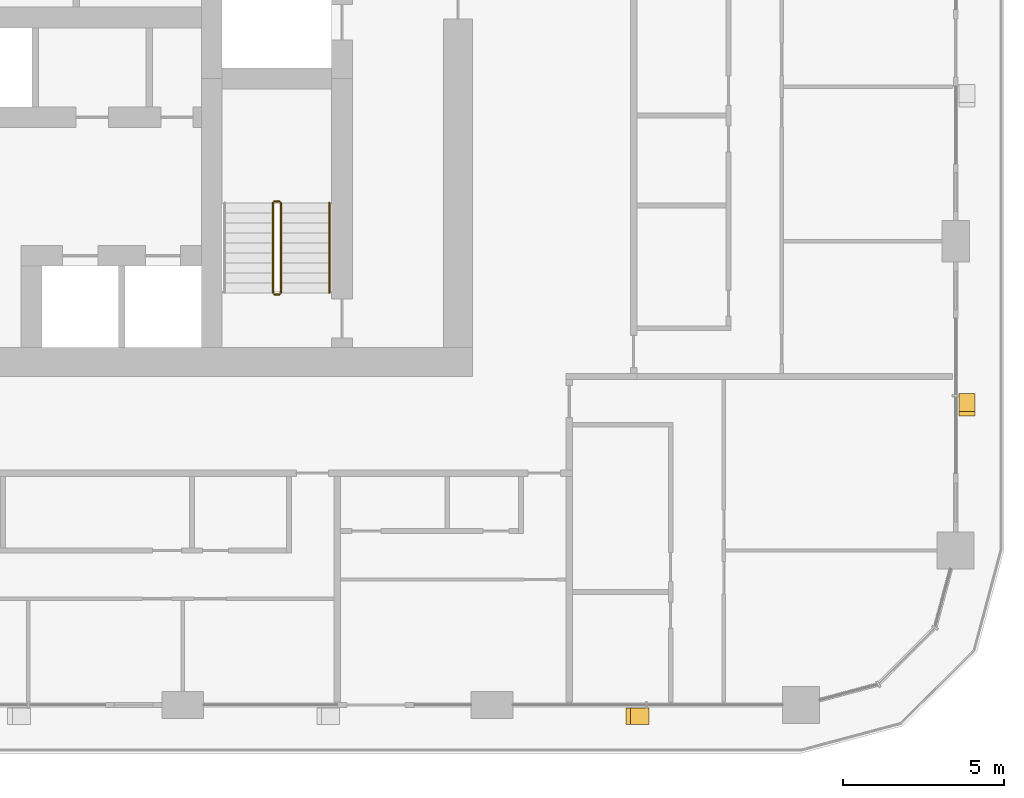
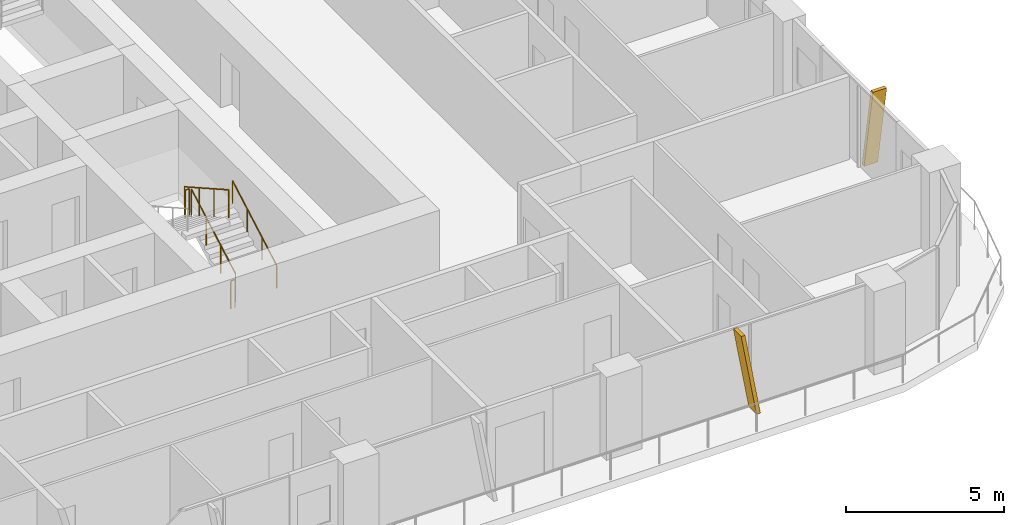
# One storey, part 18 of 21: 5 railings, 2 shading devices.
"""IFC4 building model written with IfcOpenShell, lengths in metres."""

from ifc_helpers import new_model, si_unit, direction, frame, origin, origin_2d, place, context, subcontext, project, spatial, polyline, circle, outline, extrude, material, type_object, element, save


model = new_model("IFC4")

# Units and contexts
model_context = context("Model", 3, precision=1e-05, world=origin(), true_north=direction((0.0, 1.0)))
body_context = subcontext(model_context, "Body", "Model", "MODEL_VIEW")
ifc_project = project(units=[si_unit("LENGTHUNIT", "METRE"), si_unit("AREAUNIT", "SQUARE_METRE"), si_unit("VOLUMEUNIT", "CUBIC_METRE"), si_unit("PLANEANGLEUNIT", "RADIAN"), si_unit("MASSUNIT", "GRAM", prefix="KILO")], contexts=[model_context])

# Site, building, storey
site_placement = place(None, origin())
site = spatial("IfcSite", under=ifc_project, at=site_placement, CompositionType="ELEMENT")
building_placement = place(site_placement, origin())
building = spatial("IfcBuilding", under=site, at=building_placement, Name="Madar Terraces", CompositionType="ELEMENT")
storey_placement = place(building_placement, frame((0.0, 0.0, 92.699951171875)))
storey = spatial("IfcBuildingStorey", under=building, at=storey_placement, Name="L23", CompositionType="ELEMENT", Elevation=92.699951171875)

# Shading devices
ifc_material_1 = material(Name="Aluminium, black anodised", Category="aluminium")
shading_device_type = type_object("IfcShadingDeviceType", Name="Facade fin blade 140 x 500", PredefinedType="USERDEFINED", material=ifc_material_1)
shading_device_1_placement = place(storey_placement, frame((52.72998046875, 4.449951171875, 0.0), z_axis=(0.0, 0.0, 1.0), x_axis=(1.0, 0.0, 0.0)))
element("IfcShadingDevice", 1, at=shading_device_1_placement, inside=storey, type_object=shading_device_type, Name="FIN L23 S5", ObjectType="FIN", PredefinedType="USERDEFINED", context=body_context, shape_type="SweptSolid", body=[
    extrude(outline(polyline([(0.0, 0.0), (0.14013671875, 0.0), (-0.42431640625, 3.199951171875), (-0.564208984375, 3.199951171875), (0.0, 0.0)])), frame((0.0, 0.25, 0.0), z_axis=(0.0, -1.0, 0.0), x_axis=(1.0, 0.0, 0.0)), (0.0, 0.0, 1.0), 0.5),
])
shading_device_2_placement = place(storey_placement, frame((62.75, 14.330078125, 0.0), z_axis=(0.0, 0.0, 1.0), x_axis=(0.0, 1.0, 0.0)))
element("IfcShadingDevice", 2, at=shading_device_2_placement, inside=storey, type_object=shading_device_type, Name="FIN L23 E1", ObjectType="FIN", PredefinedType="USERDEFINED", context=body_context, shape_type="SweptSolid", body=[
    extrude(outline(polyline([(0.0, 0.0), (0.139892578125, 0.0), (-0.42431640625, 3.199951171875), (-0.564208984375, 3.199951171875), (0.0, 0.0)])), frame((0.0, 0.25, 0.0), z_axis=(0.0, -1.0, 0.0), x_axis=(1.0, 0.0, 0.0)), (0.0, 0.0, 1.0), 0.5),
])

# Railings
ifc_material_2 = material(Name="Stainless steel railing", Category="steel")
railing_type_1 = type_object("IfcRailingType", Name="Stair guard 1100", PredefinedType="GUARDRAIL", material=ifc_material_2)
railing_1_placement = place(storey_placement, frame((41.449951171875, 17.60009765625, 0.175048828125)))
element("IfcRailing", 3, at=railing_1_placement, inside=storey, type_object=railing_type_1, Name="L23 ST3 stair guard 1", PredefinedType="GUARDRAIL", context=body_context, shape_type="SweptSolid", body=[
    extrude(circle(Radius=0.02392578125, at=origin_2d()), frame((0.0, 0.0, 1.076171875), z_axis=(0.0, 0.870815363784, 0.491610213684), x_axis=(-1.0, 0.0, 0.0)), (0.0, 0.0, 1.0), 3.20361328125),
    extrude(circle(Radius=0.02099609375, at=origin_2d()), origin(), (0.0, 0.0, 1.0), 1.052001953125),
    extrude(circle(Radius=0.02099609375, at=origin_2d()), frame((0.0, 0.929931640625, 0.52490234375)), (0.0, 0.0, 1.0), 1.052001953125),
    extrude(circle(Radius=0.02099609375, at=origin_2d()), frame((0.0, 1.85986328125, 1.050048828125)), (0.0, 0.0, 1.0), 1.052001953125),
    extrude(circle(Radius=0.02099609375, at=origin_2d()), frame((0.0, 2.789794921875, 1.574951171875)), (0.0, 0.0, 1.0), 1.052001953125),
])
railing_2_placement = place(storey_placement, frame((41.39990234375, 20.43994140625, 1.75)))
element("IfcRailing", 4, at=railing_2_placement, inside=storey, type_object=railing_type_1, Name="L23 ST3 stair guard 2", PredefinedType="GUARDRAIL", context=body_context, shape_type="SweptSolid", body=[
    extrude(circle(Radius=0.02392578125, at=origin_2d()), frame((0.0, 0.0, 1.076171875), z_axis=(-1.0, 0.0, 0.0), x_axis=(0.0, -1.0, 0.0)), (0.0, 0.0, 1.0), 0.14990234375),
    extrude(circle(Radius=0.02099609375, at=origin_2d()), origin(), (0.0, 0.0, 1.0), 1.052001953125),
    extrude(circle(Radius=0.02099609375, at=origin_2d()), frame((-0.14990234375, 0.0, 0.0)), (0.0, 0.0, 1.0), 1.052001953125),
])
railing_3_placement = place(storey_placement, frame((41.199951171875, 20.389892578125, 1.925048828125)))
element("IfcRailing", 5, at=railing_3_placement, inside=storey, type_object=railing_type_1, Name="L23 ST3 stair guard 3", PredefinedType="GUARDRAIL", context=body_context, shape_type="SweptSolid", body=[
    extrude(circle(Radius=0.02392578125, at=origin_2d()), frame((0.0, 0.0, 1.076171875), z_axis=(0.0, -0.870815363784, 0.491610213684), x_axis=(1.0, 0.0, 0.0)), (0.0, 0.0, 1.0), 3.20361328125),
    extrude(circle(Radius=0.02099609375, at=origin_2d()), origin(), (0.0, 0.0, 1.0), 1.052001953125),
    extrude(circle(Radius=0.02099609375, at=origin_2d()), frame((0.0, -0.929931640625, 0.52490234375)), (0.0, 0.0, 1.0), 1.052001953125),
    extrude(circle(Radius=0.02099609375, at=origin_2d()), frame((0.0, -1.85986328125, 1.050048828125)), (0.0, 0.0, 1.0), 1.052001953125),
    extrude(circle(Radius=0.02099609375, at=origin_2d()), frame((0.0, -2.789794921875, 1.574951171875)), (0.0, 0.0, 1.0), 1.052001953125),
])
railing_4_placement = place(storey_placement, frame((41.39990234375, 17.550048828125, 0.0)))
element("IfcRailing", 6, at=railing_4_placement, inside=storey, type_object=railing_type_1, Name="L23 ST3 stair guard 4", PredefinedType="GUARDRAIL", context=body_context, shape_type="SweptSolid", body=[
    extrude(circle(Radius=0.02392578125, at=origin_2d()), frame((0.0, 0.0, 1.076171875), z_axis=(-1.0, 0.0, 0.0), x_axis=(0.0, -1.0, 0.0)), (0.0, 0.0, 1.0), 0.14990234375),
    extrude(circle(Radius=0.02099609375, at=origin_2d()), origin(), (0.0, 0.0, 1.0), 1.052001953125),
    extrude(circle(Radius=0.02099609375, at=origin_2d()), frame((-0.14990234375, 0.0, 0.0)), (0.0, 0.0, 1.0), 1.052001953125),
])
ifc_material_3 = material(Name="Stainless steel railing", Category="steel")
railing_type_2 = type_object("IfcRailingType", Name="Stair handrail 900", PredefinedType="HANDRAIL", material=ifc_material_3)
railing_5_placement = place(storey_placement, frame((42.949951171875, 17.60009765625, 0.175048828125)))
element("IfcRailing", 7, at=railing_5_placement, inside=storey, type_object=railing_type_2, Name="L23 ST3 stair handrail 1", PredefinedType="HANDRAIL", context=body_context, shape_type="SweptSolid", body=[
    extrude(circle(Radius=0.02392578125, at=origin_2d()), frame((0.0, 0.0, 0.8759765625), z_axis=(0.0, 0.870815363784, 0.491610213684), x_axis=(-1.0, 0.0, 0.0)), (0.0, 0.0, 1.0), 3.20361328125),
    extrude(circle(Radius=0.02099609375, at=origin_2d()), origin(), (0.0, 0.0, 1.0), 0.851806640625),
    extrude(circle(Radius=0.02099609375, at=origin_2d()), frame((0.0, 0.929931640625, 0.52490234375)), (0.0, 0.0, 1.0), 0.851806640625),
    extrude(circle(Radius=0.02099609375, at=origin_2d()), frame((0.0, 1.85986328125, 1.050048828125)), (0.0, 0.0, 1.0), 0.851806640625),
    extrude(circle(Radius=0.02099609375, at=origin_2d()), frame((0.0, 2.789794921875, 1.574951171875)), (0.0, 0.0, 1.0), 0.851806640625),
])

save(model, "model.ifc")
